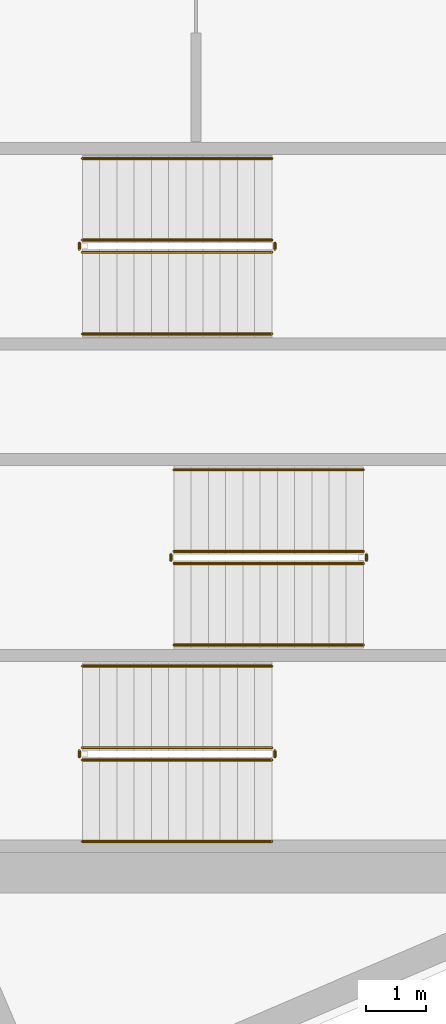
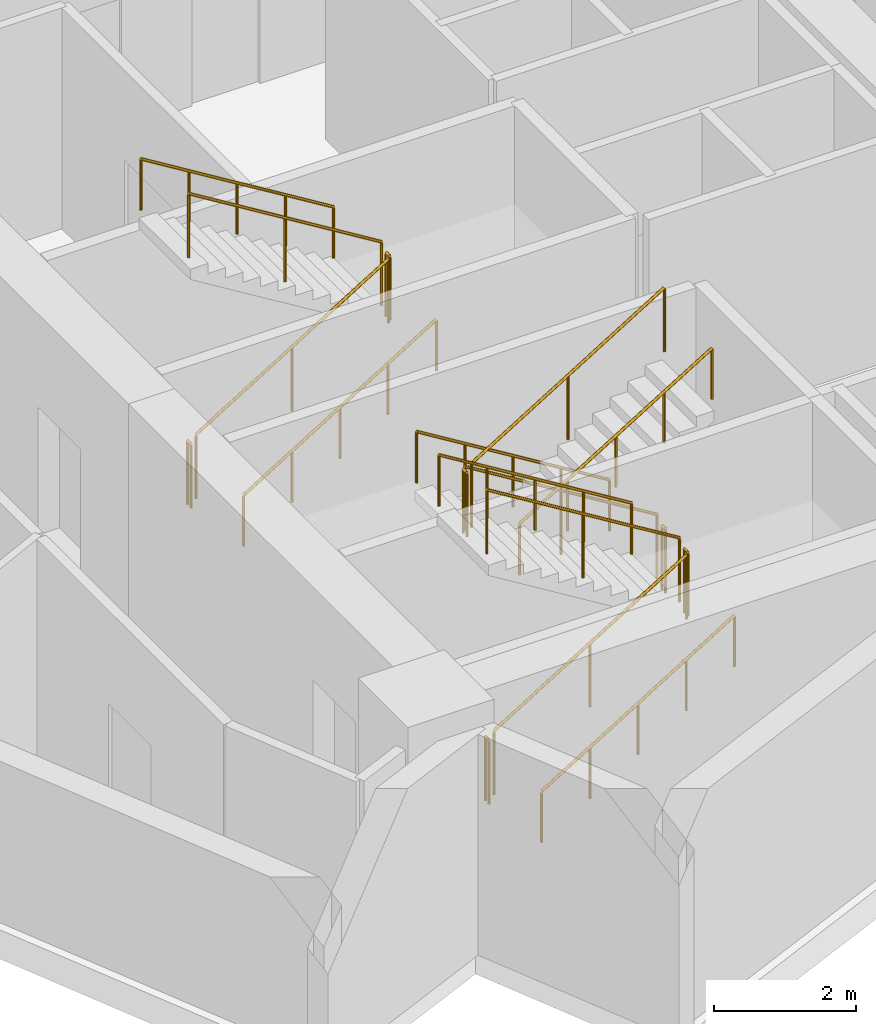
# One storey, part 13 of 14: 18 railings.
"""IFC4 building model written with IfcOpenShell, lengths in metres."""

from ifc_helpers import new_model, si_unit, direction, frame, origin, origin_2d, place, context, subcontext, project, spatial, circle, extrude, material, type_object, element, save


model = new_model("IFC4")

# Units and contexts
model_context = context("Model", 3, precision=1e-05, world=origin(), true_north=direction((0.0, 1.0)))
body_context = subcontext(model_context, "Body", "Model", "MODEL_VIEW")
ifc_project = project(units=[si_unit("LENGTHUNIT", "METRE"), si_unit("AREAUNIT", "SQUARE_METRE"), si_unit("VOLUMEUNIT", "CUBIC_METRE"), si_unit("PLANEANGLEUNIT", "RADIAN"), si_unit("MASSUNIT", "GRAM", prefix="KILO")], contexts=[model_context])

# Site, building, storey
site_placement = place(None, origin())
site = spatial("IfcSite", under=ifc_project, at=site_placement, CompositionType="ELEMENT")
building_placement = place(site_placement, origin())
building = spatial("IfcBuilding", under=site, at=building_placement, Name="Narakoshi Arena Tower", CompositionType="ELEMENT")
storey_placement = place(building_placement, frame((0.0, 0.0, 196.699951171875)))
storey = spatial("IfcBuildingStorey", under=building, at=storey_placement, Name="L53", CompositionType="ELEMENT", Elevation=196.699951171875)

# Railings
ifc_material_1 = material(Name="Clear low-iron laminated structural glass", Category="glass")
railing_type_1 = type_object("IfcRailingType", Name="RL-BAL-1100", PredefinedType="BALUSTRADE", material=ifc_material_1)
railing_1_placement = place(storey_placement, frame((74.39990234375, 36.949951171875, 0.175048828125)))
element("IfcRailing", 1, at=railing_1_placement, inside=storey, type_object=railing_type_1, Name="L53 ST1 stair guard 1", PredefinedType="BALUSTRADE", context=body_context, shape_type="SweptSolid", body=[
    extrude(circle(Radius=0.02392578125, at=origin_2d()), frame((0.0, 0.0, 1.09619140625), z_axis=(0.852166034122, 0.0, 0.523271488128), x_axis=(0.0, 1.0, 0.0)), (0.0, 0.0, 1.0), 3.678955078125),
    extrude(circle(Radius=0.02099609375, at=origin_2d()), origin(), (0.0, 0.0, 1.0), 1.072021484375),
    extrude(circle(Radius=0.02099609375, at=origin_2d()), frame((1.5673828125, 0.0, 0.96240234375)), (0.0, 0.0, 1.0), 1.072021484375),
    extrude(circle(Radius=0.02099609375, at=origin_2d()), frame((3.135009765625, 0.0, 1.925048828125)), (0.0, 0.0, 1.0), 1.072021484375),
])
railing_2_placement = place(storey_placement, frame((77.5849609375, 37.0, 2.10009765625)))
element("IfcRailing", 2, at=railing_2_placement, inside=storey, type_object=railing_type_1, Name="L53 ST1 stair guard 2", PredefinedType="BALUSTRADE", context=body_context, shape_type="SweptSolid", body=[
    extrude(circle(Radius=0.02392578125, at=origin_2d()), frame((0.0, 0.0, 1.09619140625), z_axis=(0.0, 1.0, 0.0), x_axis=(-1.0, 0.0, 0.0)), (0.0, 0.0, 1.0), 0.10009765625),
    extrude(circle(Radius=0.02099609375, at=origin_2d()), origin(), (0.0, 0.0, 1.0), 1.072021484375),
    extrude(circle(Radius=0.02099609375, at=origin_2d()), frame((0.0, 0.10009765625, 0.0)), (0.0, 0.0, 1.0), 1.072021484375),
])
railing_3_placement = place(storey_placement, frame((77.534912109375, 37.14990234375, 2.275146484375)))
element("IfcRailing", 3, at=railing_3_placement, inside=storey, type_object=railing_type_1, Name="L53 ST1 stair guard 3", PredefinedType="BALUSTRADE", context=body_context, shape_type="SweptSolid", body=[
    extrude(circle(Radius=0.02392578125, at=origin_2d()), frame((0.0, 0.0, 1.09619140625), z_axis=(-0.852195625947, 0.0, 0.523223293744), x_axis=(0.0, -1.0, 0.0)), (0.0, 0.0, 1.0), 3.6787109375),
    extrude(circle(Radius=0.02099609375, at=origin_2d()), origin(), (0.0, 0.0, 1.0), 1.072021484375),
    extrude(circle(Radius=0.02099609375, at=origin_2d()), frame((-1.5673828125, 0.0, 0.96240234375)), (0.0, 0.0, 1.0), 1.072021484375),
    extrude(circle(Radius=0.02099609375, at=origin_2d()), frame((-3.135009765625, 0.0, 1.9248046875)), (0.0, 0.0, 1.0), 1.072021484375),
])
railing_4_placement = place(storey_placement, frame((74.35009765625, 37.0, 0.0)))
element("IfcRailing", 4, at=railing_4_placement, inside=storey, type_object=railing_type_1, Name="L53 ST1 stair guard 4", PredefinedType="BALUSTRADE", context=body_context, shape_type="SweptSolid", body=[
    extrude(circle(Radius=0.02392578125, at=origin_2d()), frame((0.0, 0.0, 1.09619140625), z_axis=(0.0, 1.0, 0.0), x_axis=(-1.0, 0.0, 0.0)), (0.0, 0.0, 1.0), 0.10009765625),
    extrude(circle(Radius=0.02099609375, at=origin_2d()), origin(), (0.0, 0.0, 1.0), 1.072021484375),
    extrude(circle(Radius=0.02099609375, at=origin_2d()), frame((0.0, 0.10009765625, 0.0)), (0.0, 0.0, 1.0), 1.072021484375),
])
railing_5_placement = place(storey_placement, frame((79.050048828125, 40.39990234375, 0.175048828125)))
element("IfcRailing", 5, at=railing_5_placement, inside=storey, type_object=railing_type_1, Name="L53 ST2 stair guard 1", PredefinedType="BALUSTRADE", context=body_context, shape_type="SweptSolid", body=[
    extrude(circle(Radius=0.02392578125, at=origin_2d()), frame((0.0, 0.0, 1.09619140625), z_axis=(-0.852166034122, 0.0, 0.523271488128), x_axis=(0.0, -1.0, 0.0)), (0.0, 0.0, 1.0), 3.678955078125),
    extrude(circle(Radius=0.02099609375, at=origin_2d()), origin(), (0.0, 0.0, 1.0), 1.072021484375),
    extrude(circle(Radius=0.02099609375, at=origin_2d()), frame((-1.5673828125, 0.0, 0.96240234375)), (0.0, 0.0, 1.0), 1.072021484375),
    extrude(circle(Radius=0.02099609375, at=origin_2d()), frame((-3.135009765625, 0.0, 1.925048828125)), (0.0, 0.0, 1.0), 1.072021484375),
])
railing_6_placement = place(storey_placement, frame((75.864990234375, 40.35009765625, 2.10009765625)))
element("IfcRailing", 6, at=railing_6_placement, inside=storey, type_object=railing_type_1, Name="L53 ST2 stair guard 2", PredefinedType="BALUSTRADE", context=body_context, shape_type="SweptSolid", body=[
    extrude(circle(Radius=0.02392578125, at=origin_2d()), frame((0.0, 0.0, 1.09619140625), z_axis=(0.0, -1.0, 0.0), x_axis=(1.0, 0.0, 0.0)), (0.0, 0.0, 1.0), 0.10009765625),
    extrude(circle(Radius=0.02099609375, at=origin_2d()), origin(), (0.0, 0.0, 1.0), 1.072021484375),
    extrude(circle(Radius=0.02099609375, at=origin_2d()), frame((0.0, -0.10009765625, 0.0)), (0.0, 0.0, 1.0), 1.072021484375),
])
railing_7_placement = place(storey_placement, frame((75.9150390625, 40.199951171875, 2.275146484375)))
element("IfcRailing", 7, at=railing_7_placement, inside=storey, type_object=railing_type_1, Name="L53 ST2 stair guard 3", PredefinedType="BALUSTRADE", context=body_context, shape_type="SweptSolid", body=[
    extrude(circle(Radius=0.02392578125, at=origin_2d()), frame((0.0, 0.0, 1.09619140625), z_axis=(0.852195625947, 0.0, 0.523223293744), x_axis=(0.0, 1.0, 0.0)), (0.0, 0.0, 1.0), 3.6787109375),
    extrude(circle(Radius=0.02099609375, at=origin_2d()), origin(), (0.0, 0.0, 1.0), 1.072021484375),
    extrude(circle(Radius=0.02099609375, at=origin_2d()), frame((1.5673828125, 0.0, 0.96240234375)), (0.0, 0.0, 1.0), 1.072021484375),
    extrude(circle(Radius=0.02099609375, at=origin_2d()), frame((3.135009765625, 0.0, 1.9248046875)), (0.0, 0.0, 1.0), 1.072021484375),
])
railing_8_placement = place(storey_placement, frame((79.10009765625, 40.35009765625, 0.0)))
element("IfcRailing", 8, at=railing_8_placement, inside=storey, type_object=railing_type_1, Name="L53 ST2 stair guard 4", PredefinedType="BALUSTRADE", context=body_context, shape_type="SweptSolid", body=[
    extrude(circle(Radius=0.02392578125, at=origin_2d()), frame((0.0, 0.0, 1.09619140625), z_axis=(0.0, -1.0, 0.0), x_axis=(1.0, 0.0, 0.0)), (0.0, 0.0, 1.0), 0.10009765625),
    extrude(circle(Radius=0.02099609375, at=origin_2d()), origin(), (0.0, 0.0, 1.0), 1.072021484375),
    extrude(circle(Radius=0.02099609375, at=origin_2d()), frame((0.0, -0.10009765625, 0.0)), (0.0, 0.0, 1.0), 1.072021484375),
])
railing_9_placement = place(storey_placement, frame((74.39990234375, 45.35009765625, 0.175048828125)))
element("IfcRailing", 9, at=railing_9_placement, inside=storey, type_object=railing_type_1, Name="L53 ST3 stair guard 1", PredefinedType="BALUSTRADE", context=body_context, shape_type="SweptSolid", body=[
    extrude(circle(Radius=0.02392578125, at=origin_2d()), frame((0.0, 0.0, 1.09619140625), z_axis=(0.852166034122, 0.0, 0.523271488128), x_axis=(0.0, 1.0, 0.0)), (0.0, 0.0, 1.0), 3.678955078125),
    extrude(circle(Radius=0.02099609375, at=origin_2d()), origin(), (0.0, 0.0, 1.0), 1.072021484375),
    extrude(circle(Radius=0.02099609375, at=origin_2d()), frame((1.5673828125, 0.0, 0.96240234375)), (0.0, 0.0, 1.0), 1.072021484375),
    extrude(circle(Radius=0.02099609375, at=origin_2d()), frame((3.135009765625, 0.0, 1.925048828125)), (0.0, 0.0, 1.0), 1.072021484375),
])
railing_10_placement = place(storey_placement, frame((77.5849609375, 45.39990234375, 2.10009765625)))
element("IfcRailing", 10, at=railing_10_placement, inside=storey, type_object=railing_type_1, Name="L53 ST3 stair guard 2", PredefinedType="BALUSTRADE", context=body_context, shape_type="SweptSolid", body=[
    extrude(circle(Radius=0.02392578125, at=origin_2d()), frame((0.0, 0.0, 1.09619140625), z_axis=(0.0, 1.0, 0.0), x_axis=(-1.0, 0.0, 0.0)), (0.0, 0.0, 1.0), 0.10009765625),
    extrude(circle(Radius=0.02099609375, at=origin_2d()), origin(), (0.0, 0.0, 1.0), 1.072021484375),
    extrude(circle(Radius=0.02099609375, at=origin_2d()), frame((0.0, 0.10009765625, 0.0)), (0.0, 0.0, 1.0), 1.072021484375),
])
railing_11_placement = place(storey_placement, frame((77.534912109375, 45.550048828125, 2.275146484375)))
element("IfcRailing", 11, at=railing_11_placement, inside=storey, type_object=railing_type_1, Name="L53 ST3 stair guard 3", PredefinedType="BALUSTRADE", context=body_context, shape_type="SweptSolid", body=[
    extrude(circle(Radius=0.02392578125, at=origin_2d()), frame((0.0, 0.0, 1.09619140625), z_axis=(-0.852195625947, 0.0, 0.523223293744), x_axis=(0.0, -1.0, 0.0)), (0.0, 0.0, 1.0), 3.6787109375),
    extrude(circle(Radius=0.02099609375, at=origin_2d()), origin(), (0.0, 0.0, 1.0), 1.072021484375),
    extrude(circle(Radius=0.02099609375, at=origin_2d()), frame((-1.5673828125, 0.0, 0.96240234375)), (0.0, 0.0, 1.0), 1.072021484375),
    extrude(circle(Radius=0.02099609375, at=origin_2d()), frame((-3.135009765625, 0.0, 1.9248046875)), (0.0, 0.0, 1.0), 1.072021484375),
])
railing_12_placement = place(storey_placement, frame((74.35009765625, 45.39990234375, 0.0)))
element("IfcRailing", 12, at=railing_12_placement, inside=storey, type_object=railing_type_1, Name="L53 ST3 stair guard 4", PredefinedType="BALUSTRADE", context=body_context, shape_type="SweptSolid", body=[
    extrude(circle(Radius=0.02392578125, at=origin_2d()), frame((0.0, 0.0, 1.09619140625), z_axis=(0.0, 1.0, 0.0), x_axis=(-1.0, 0.0, 0.0)), (0.0, 0.0, 1.0), 0.10009765625),
    extrude(circle(Radius=0.02099609375, at=origin_2d()), origin(), (0.0, 0.0, 1.0), 1.072021484375),
    extrude(circle(Radius=0.02099609375, at=origin_2d()), frame((0.0, 0.10009765625, 0.0)), (0.0, 0.0, 1.0), 1.072021484375),
])
ifc_material_2 = material(Name="Brushed bronze stainless steel", Category="steel")
railing_type_2 = type_object("IfcRailingType", Name="RL-HND-900", PredefinedType="HANDRAIL", material=ifc_material_2)
railing_13_placement = place(storey_placement, frame((74.39990234375, 35.60009765625, 0.175048828125)))
element("IfcRailing", 13, at=railing_13_placement, inside=storey, type_object=railing_type_2, Name="L53 ST1 stair handrail 1", PredefinedType="HANDRAIL", context=body_context, shape_type="SweptSolid", body=[
    extrude(circle(Radius=0.02392578125, at=origin_2d()), frame((0.0, 0.0, 0.8759765625), z_axis=(0.852166034122, 0.0, 0.523271488128), x_axis=(0.0, 1.0, 0.0)), (0.0, 0.0, 1.0), 3.678955078125),
    extrude(circle(Radius=0.02099609375, at=origin_2d()), origin(), (0.0, 0.0, 1.0), 0.851806640625),
    extrude(circle(Radius=0.02099609375, at=origin_2d()), frame((0.78369140625, 0.0, 0.481201171875)), (0.0, 0.0, 1.0), 0.851806640625),
    extrude(circle(Radius=0.02099609375, at=origin_2d()), frame((1.5673828125, 0.0, 0.96240234375)), (0.0, 0.0, 1.0), 0.851806640625),
    extrude(circle(Radius=0.02099609375, at=origin_2d()), frame((2.351318359375, 0.0, 1.44384765625)), (0.0, 0.0, 1.0), 0.851806640625),
    extrude(circle(Radius=0.02099609375, at=origin_2d()), frame((3.135009765625, 0.0, 1.925048828125)), (0.0, 0.0, 1.0), 0.851806640625),
])
railing_14_placement = place(storey_placement, frame((77.534912109375, 38.5, 2.275146484375)))
element("IfcRailing", 14, at=railing_14_placement, inside=storey, type_object=railing_type_2, Name="L53 ST1 stair handrail 2", PredefinedType="HANDRAIL", context=body_context, shape_type="SweptSolid", body=[
    extrude(circle(Radius=0.02392578125, at=origin_2d()), frame((0.0, 0.0, 0.8759765625), z_axis=(-0.852195625947, 0.0, 0.523223293744), x_axis=(0.0, -1.0, 0.0)), (0.0, 0.0, 1.0), 3.6787109375),
    extrude(circle(Radius=0.02099609375, at=origin_2d()), origin(), (0.0, 0.0, 1.0), 0.851806640625),
    extrude(circle(Radius=0.02099609375, at=origin_2d()), frame((-0.78369140625, 0.0, 0.481201171875)), (0.0, 0.0, 1.0), 0.851806640625),
    extrude(circle(Radius=0.02099609375, at=origin_2d()), frame((-1.5673828125, 0.0, 0.96240234375)), (0.0, 0.0, 1.0), 0.851806640625),
    extrude(circle(Radius=0.02099609375, at=origin_2d()), frame((-2.351318359375, 0.0, 1.443603515625)), (0.0, 0.0, 1.0), 0.851806640625),
    extrude(circle(Radius=0.02099609375, at=origin_2d()), frame((-3.135009765625, 0.0, 1.9248046875)), (0.0, 0.0, 1.0), 0.851806640625),
])
railing_15_placement = place(storey_placement, frame((79.050048828125, 41.75, 0.175048828125)))
element("IfcRailing", 15, at=railing_15_placement, inside=storey, type_object=railing_type_2, Name="L53 ST2 stair handrail 1", PredefinedType="HANDRAIL", context=body_context, shape_type="SweptSolid", body=[
    extrude(circle(Radius=0.02392578125, at=origin_2d()), frame((0.0, 0.0, 0.8759765625), z_axis=(-0.852166034122, 0.0, 0.523271488128), x_axis=(0.0, -1.0, 0.0)), (0.0, 0.0, 1.0), 3.678955078125),
    extrude(circle(Radius=0.02099609375, at=origin_2d()), origin(), (0.0, 0.0, 1.0), 0.851806640625),
    extrude(circle(Radius=0.02099609375, at=origin_2d()), frame((-0.78369140625, 0.0, 0.481201171875)), (0.0, 0.0, 1.0), 0.851806640625),
    extrude(circle(Radius=0.02099609375, at=origin_2d()), frame((-1.5673828125, 0.0, 0.96240234375)), (0.0, 0.0, 1.0), 0.851806640625),
    extrude(circle(Radius=0.02099609375, at=origin_2d()), frame((-2.351318359375, 0.0, 1.44384765625)), (0.0, 0.0, 1.0), 0.851806640625),
    extrude(circle(Radius=0.02099609375, at=origin_2d()), frame((-3.135009765625, 0.0, 1.925048828125)), (0.0, 0.0, 1.0), 0.851806640625),
])
railing_16_placement = place(storey_placement, frame((75.9150390625, 38.85009765625, 2.275146484375)))
element("IfcRailing", 16, at=railing_16_placement, inside=storey, type_object=railing_type_2, Name="L53 ST2 stair handrail 2", PredefinedType="HANDRAIL", context=body_context, shape_type="SweptSolid", body=[
    extrude(circle(Radius=0.02392578125, at=origin_2d()), frame((0.0, 0.0, 0.8759765625), z_axis=(0.852195625947, 0.0, 0.523223293744), x_axis=(0.0, 1.0, 0.0)), (0.0, 0.0, 1.0), 3.6787109375),
    extrude(circle(Radius=0.02099609375, at=origin_2d()), origin(), (0.0, 0.0, 1.0), 0.851806640625),
    extrude(circle(Radius=0.02099609375, at=origin_2d()), frame((0.78369140625, 0.0, 0.481201171875)), (0.0, 0.0, 1.0), 0.851806640625),
    extrude(circle(Radius=0.02099609375, at=origin_2d()), frame((1.5673828125, 0.0, 0.96240234375)), (0.0, 0.0, 1.0), 0.851806640625),
    extrude(circle(Radius=0.02099609375, at=origin_2d()), frame((2.351318359375, 0.0, 1.443603515625)), (0.0, 0.0, 1.0), 0.851806640625),
    extrude(circle(Radius=0.02099609375, at=origin_2d()), frame((3.135009765625, 0.0, 1.9248046875)), (0.0, 0.0, 1.0), 0.851806640625),
])
railing_17_placement = place(storey_placement, frame((74.39990234375, 44.0, 0.175048828125)))
element("IfcRailing", 17, at=railing_17_placement, inside=storey, type_object=railing_type_2, Name="L53 ST3 stair handrail 1", PredefinedType="HANDRAIL", context=body_context, shape_type="SweptSolid", body=[
    extrude(circle(Radius=0.02392578125, at=origin_2d()), frame((0.0, 0.0, 0.8759765625), z_axis=(0.852166034122, 0.0, 0.523271488128), x_axis=(0.0, 1.0, 0.0)), (0.0, 0.0, 1.0), 3.678955078125),
    extrude(circle(Radius=0.02099609375, at=origin_2d()), origin(), (0.0, 0.0, 1.0), 0.851806640625),
    extrude(circle(Radius=0.02099609375, at=origin_2d()), frame((0.78369140625, 0.0, 0.481201171875)), (0.0, 0.0, 1.0), 0.851806640625),
    extrude(circle(Radius=0.02099609375, at=origin_2d()), frame((1.5673828125, 0.0, 0.96240234375)), (0.0, 0.0, 1.0), 0.851806640625),
    extrude(circle(Radius=0.02099609375, at=origin_2d()), frame((2.351318359375, 0.0, 1.44384765625)), (0.0, 0.0, 1.0), 0.851806640625),
    extrude(circle(Radius=0.02099609375, at=origin_2d()), frame((3.135009765625, 0.0, 1.925048828125)), (0.0, 0.0, 1.0), 0.851806640625),
])
railing_18_placement = place(storey_placement, frame((77.534912109375, 46.89990234375, 2.275146484375)))
element("IfcRailing", 18, at=railing_18_placement, inside=storey, type_object=railing_type_2, Name="L53 ST3 stair handrail 2", PredefinedType="HANDRAIL", context=body_context, shape_type="SweptSolid", body=[
    extrude(circle(Radius=0.02392578125, at=origin_2d()), frame((0.0, 0.0, 0.8759765625), z_axis=(-0.852195625947, 0.0, 0.523223293744), x_axis=(0.0, -1.0, 0.0)), (0.0, 0.0, 1.0), 3.6787109375),
    extrude(circle(Radius=0.02099609375, at=origin_2d()), origin(), (0.0, 0.0, 1.0), 0.851806640625),
    extrude(circle(Radius=0.02099609375, at=origin_2d()), frame((-0.78369140625, 0.0, 0.481201171875)), (0.0, 0.0, 1.0), 0.851806640625),
    extrude(circle(Radius=0.02099609375, at=origin_2d()), frame((-1.5673828125, 0.0, 0.96240234375)), (0.0, 0.0, 1.0), 0.851806640625),
    extrude(circle(Radius=0.02099609375, at=origin_2d()), frame((-2.351318359375, 0.0, 1.443603515625)), (0.0, 0.0, 1.0), 0.851806640625),
    extrude(circle(Radius=0.02099609375, at=origin_2d()), frame((-3.135009765625, 0.0, 1.9248046875)), (0.0, 0.0, 1.0), 0.851806640625),
])

save(model, "model.ifc")
